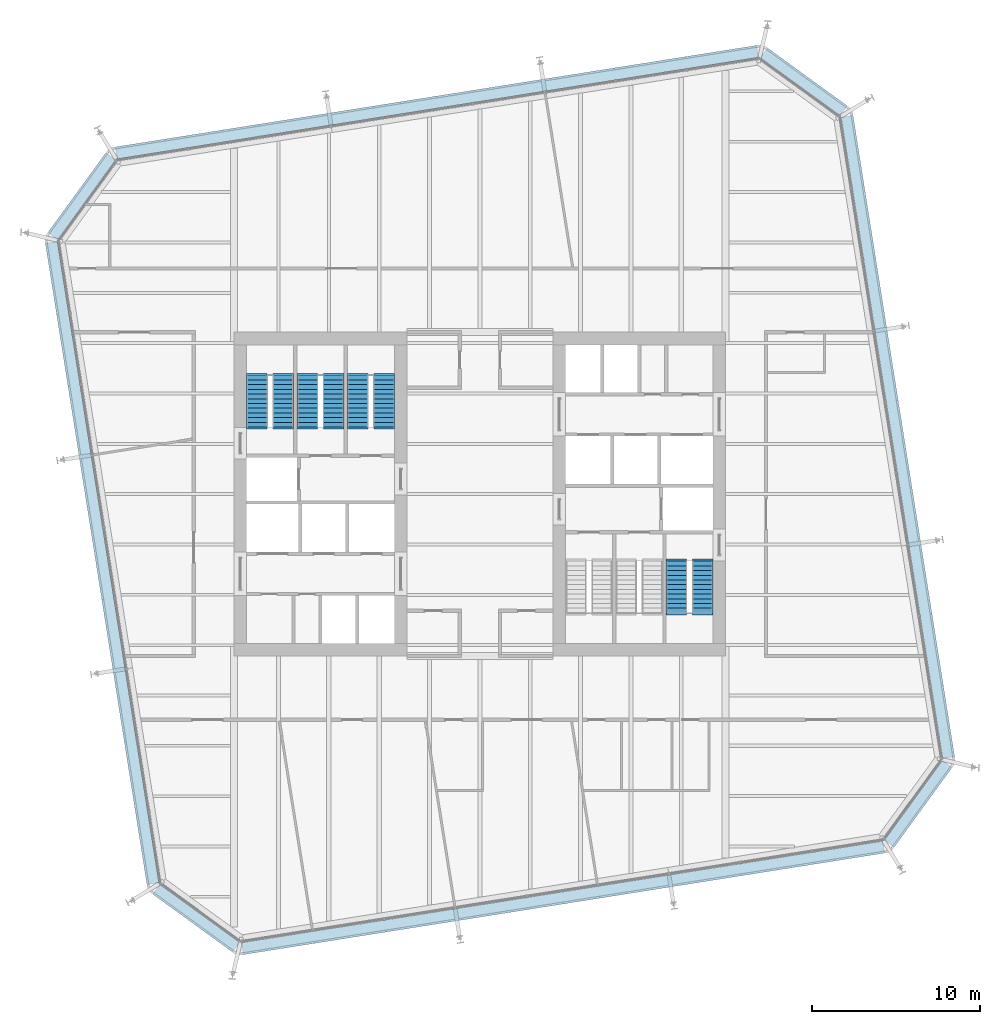
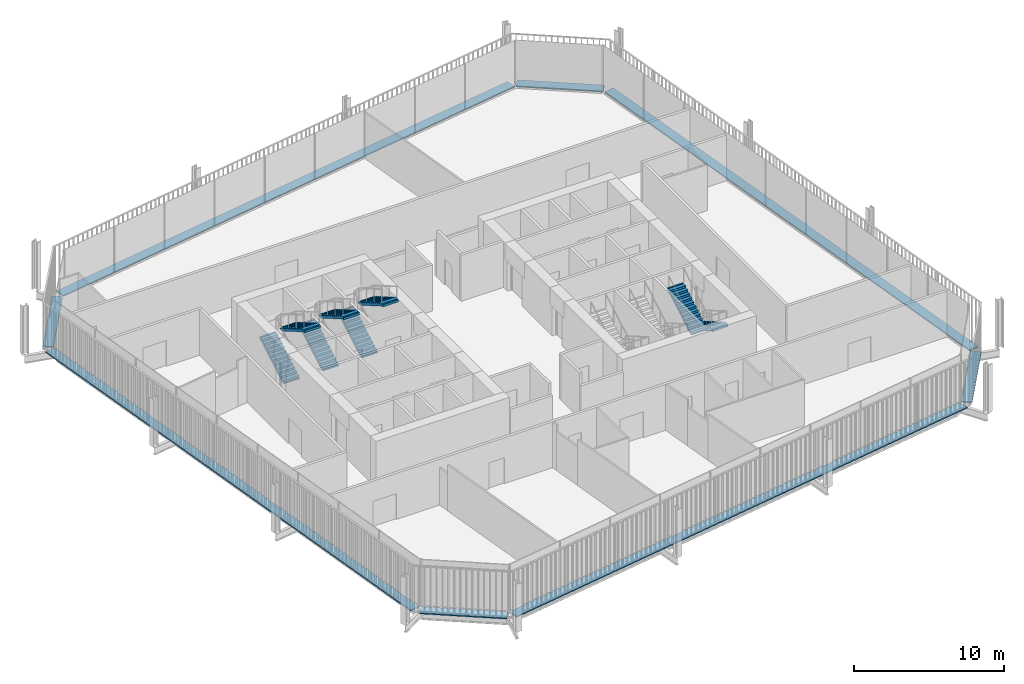
# One storey, part 20 of 21: 8 discrete accessories, 8 stair flights, 4 elements without a shape of their own.
"""IFC4 building model written with IfcOpenShell, lengths in metres."""

from ifc_helpers import new_model, si_unit, direction, frame, origin, origin_2d, place, context, subcontext, project, spatial, polyline, rectangle, outline, extrude, material, type_object, element, aggregate, save


model = new_model("IFC4")

# Units and contexts
model_context = context("Model", 3, precision=1e-05, world=origin(), true_north=direction((0.0, 1.0)))
body_context = subcontext(model_context, "Body", "Model", "MODEL_VIEW")
ifc_project = project(units=[si_unit("LENGTHUNIT", "METRE"), si_unit("AREAUNIT", "SQUARE_METRE"), si_unit("VOLUMEUNIT", "CUBIC_METRE"), si_unit("PLANEANGLEUNIT", "RADIAN"), si_unit("MASSUNIT", "GRAM", prefix="KILO")], contexts=[model_context])

# Site, building, storey
site_placement = place(None, origin())
site = spatial("IfcSite", under=ifc_project, at=site_placement, CompositionType="ELEMENT")
building_placement = place(site_placement, origin())
building = spatial("IfcBuilding", under=site, at=building_placement, Name="Millrace Tower", CompositionType="ELEMENT")
storey_placement = place(building_placement, frame((0.0, 0.0, 141.199951171875)))
storey = spatial("IfcBuildingStorey", under=building, at=storey_placement, Name="L31", CompositionType="ELEMENT", Elevation=141.199951171875)

# Stair, stair flights
ifc_material_1 = material(Name="Concrete C35", Category="concrete")
stair_type = type_object("IfcStairType", Name="Exit stair", PredefinedType="HALF_TURN_STAIR", material=ifc_material_1)
placement = place(storey_placement, origin())
stair_1 = element("IfcStair", 1, at=placement, inside=storey, type_object=stair_type, Name="Stair 1 W L31", PredefinedType="HALF_TURN_STAIR")
ifc_material_2 = material(Name="Concrete C35", Category="concrete")
stair_flight_type = type_object("IfcStairFlightType", Name="Exit stair flight", PredefinedType="STRAIGHT", material=ifc_material_2)
stair_flight_1_placement = place(storey_placement, frame((-13.2900390625, 4.0, 0.0), z_axis=(0.0, 0.0, 1.0), x_axis=(0.0, 1.0, 0.0)))
stair_flight_1 = element("IfcStairFlight", 2, at=stair_flight_1_placement, type_object=stair_flight_type, Name="ST12 flight 1", NumberOfRisers=12, NumberOfTreads=11, PredefinedType="STRAIGHT", RiserHeight=0.1625, TreadLength=0.28, context=body_context, shape_type="SweptSolid", body=[
    extrude(outline(polyline([(-0.1201171875, -0.0400390625), (-0.1201171875, 0.0), (0.0, 0.0), (0.0, 0.16259765625), (0.280029296875, 0.16259765625), (0.280029296875, 0.324951171875), (0.56005859375, 0.324951171875), (0.56005859375, 0.487548828125), (0.840087890625, 0.487548828125), (0.840087890625, 0.64990234375), (1.1201171875, 0.64990234375), (1.1201171875, 0.8125), (1.39990234375, 0.8125), (1.39990234375, 0.97509765625), (1.679931640625, 0.97509765625), (1.679931640625, 1.137451171875), (1.9599609375, 1.137451171875), (1.9599609375, 1.300048828125), (2.239990234375, 1.300048828125), (2.239990234375, 1.46240234375), (2.52001953125, 1.46240234375), (2.52001953125, 1.625), (2.800048828125, 1.625), (2.800048828125, 1.78759765625), (3.080078125, 1.78759765625), (3.080078125, 1.8076171875), (3.199951171875, 1.8076171875), (3.199951171875, 1.6142578125), (3.080078125, 1.6142578125), (0.298583984375, 0.0), (0.298583984375, -0.0400390625), (-0.1201171875, -0.0400390625)])), frame((0.0, 0.60986328125, 0.0), z_axis=(0.0, -1.0, 0.0), x_axis=(1.0, 0.0, 0.0)), (0.0, 0.0, 1.0), 1.219970703125),
])
stair_flight_2_placement = place(storey_placement, frame((-11.7099609375, 7.080078125, 1.949951171875), z_axis=(0.0, 0.0, 1.0), x_axis=(0.0, -1.0, 0.0)))
stair_flight_2 = element("IfcStairFlight", 3, at=stair_flight_2_placement, type_object=stair_flight_type, Name="ST12 flight 2", NumberOfRisers=12, NumberOfTreads=11, PredefinedType="STRAIGHT", RiserHeight=0.1625, TreadLength=0.28, context=body_context, shape_type="SweptSolid", body=[
    extrude(outline(polyline([(-0.1201171875, -0.0400390625), (-0.1201171875, 0.0), (0.0, 0.0), (0.0, 0.16259765625), (0.280029296875, 0.16259765625), (0.280029296875, 0.324951171875), (0.56005859375, 0.324951171875), (0.56005859375, 0.487548828125), (0.840087890625, 0.487548828125), (0.840087890625, 0.64990234375), (1.1201171875, 0.64990234375), (1.1201171875, 0.8125), (1.39990234375, 0.8125), (1.39990234375, 0.97509765625), (1.679931640625, 0.97509765625), (1.679931640625, 1.137451171875), (1.9599609375, 1.137451171875), (1.9599609375, 1.300048828125), (2.239990234375, 1.300048828125), (2.239990234375, 1.46240234375), (2.52001953125, 1.46240234375), (2.52001953125, 1.625), (2.800048828125, 1.625), (2.800048828125, 1.78759765625), (3.080078125, 1.78759765625), (3.080078125, 1.8076171875), (3.199951171875, 1.8076171875), (3.199951171875, 1.6142578125), (3.080078125, 1.6142578125), (0.298583984375, 0.0), (0.298583984375, -0.0400390625), (-0.1201171875, -0.0400390625)])), frame((0.0, 0.60986328125, 0.0), z_axis=(0.0, -1.0, 0.0), x_axis=(1.0, 0.0, 0.0)), (0.0, 0.0, 1.0), 1.219970703125),
])
aggregate(stair_1, [stair_flight_1, stair_flight_2])

stair_2 = element("IfcStair", 4, at=placement, inside=storey, type_object=stair_type, Name="Stair 2 W L31", PredefinedType="HALF_TURN_STAIR")
stair_flight_3_placement = place(storey_placement, frame((-10.2900390625, 4.0, 0.0), z_axis=(0.0, 0.0, 1.0), x_axis=(0.0, 1.0, 0.0)))
stair_flight_3 = element("IfcStairFlight", 5, at=stair_flight_3_placement, type_object=stair_flight_type, Name="ST12 flight 1", NumberOfRisers=12, NumberOfTreads=11, PredefinedType="STRAIGHT", RiserHeight=0.1625, TreadLength=0.28, context=body_context, shape_type="SweptSolid", body=[
    extrude(outline(polyline([(-0.1201171875, -0.0400390625), (-0.1201171875, 0.0), (0.0, 0.0), (0.0, 0.16259765625), (0.280029296875, 0.16259765625), (0.280029296875, 0.324951171875), (0.56005859375, 0.324951171875), (0.56005859375, 0.487548828125), (0.840087890625, 0.487548828125), (0.840087890625, 0.64990234375), (1.1201171875, 0.64990234375), (1.1201171875, 0.8125), (1.39990234375, 0.8125), (1.39990234375, 0.97509765625), (1.679931640625, 0.97509765625), (1.679931640625, 1.137451171875), (1.9599609375, 1.137451171875), (1.9599609375, 1.300048828125), (2.239990234375, 1.300048828125), (2.239990234375, 1.46240234375), (2.52001953125, 1.46240234375), (2.52001953125, 1.625), (2.800048828125, 1.625), (2.800048828125, 1.78759765625), (3.080078125, 1.78759765625), (3.080078125, 1.8076171875), (3.199951171875, 1.8076171875), (3.199951171875, 1.6142578125), (3.080078125, 1.6142578125), (0.298583984375, 0.0), (0.298583984375, -0.0400390625), (-0.1201171875, -0.0400390625)])), frame((0.0, 0.60986328125, 0.0), z_axis=(0.0, -1.0, 0.0), x_axis=(1.0, 0.0, 0.0)), (0.0, 0.0, 1.0), 1.219970703125),
])
stair_flight_4_placement = place(storey_placement, frame((-8.7099609375, 7.080078125, 1.949951171875), z_axis=(0.0, 0.0, 1.0), x_axis=(0.0, -1.0, 0.0)))
stair_flight_4 = element("IfcStairFlight", 6, at=stair_flight_4_placement, type_object=stair_flight_type, Name="ST12 flight 2", NumberOfRisers=12, NumberOfTreads=11, PredefinedType="STRAIGHT", RiserHeight=0.1625, TreadLength=0.28, context=body_context, shape_type="SweptSolid", body=[
    extrude(outline(polyline([(-0.1201171875, -0.0400390625), (-0.1201171875, 0.0), (0.0, 0.0), (0.0, 0.16259765625), (0.280029296875, 0.16259765625), (0.280029296875, 0.324951171875), (0.56005859375, 0.324951171875), (0.56005859375, 0.487548828125), (0.840087890625, 0.487548828125), (0.840087890625, 0.64990234375), (1.1201171875, 0.64990234375), (1.1201171875, 0.8125), (1.39990234375, 0.8125), (1.39990234375, 0.97509765625), (1.679931640625, 0.97509765625), (1.679931640625, 1.137451171875), (1.9599609375, 1.137451171875), (1.9599609375, 1.300048828125), (2.239990234375, 1.300048828125), (2.239990234375, 1.46240234375), (2.52001953125, 1.46240234375), (2.52001953125, 1.625), (2.800048828125, 1.625), (2.800048828125, 1.78759765625), (3.080078125, 1.78759765625), (3.080078125, 1.8076171875), (3.199951171875, 1.8076171875), (3.199951171875, 1.6142578125), (3.080078125, 1.6142578125), (0.298583984375, 0.0), (0.298583984375, -0.0400390625), (-0.1201171875, -0.0400390625)])), frame((0.0, 0.60986328125, 0.0), z_axis=(0.0, -1.0, 0.0), x_axis=(1.0, 0.0, 0.0)), (0.0, 0.0, 1.0), 1.219970703125),
])
aggregate(stair_2, [stair_flight_3, stair_flight_4])

stair_3 = element("IfcStair", 7, at=placement, inside=storey, type_object=stair_type, Name="Stair 3 W L31", PredefinedType="HALF_TURN_STAIR")
stair_flight_5_placement = place(storey_placement, frame((-7.2900390625, 4.0, 0.0), z_axis=(0.0, 0.0, 1.0), x_axis=(0.0, 1.0, 0.0)))
stair_flight_5 = element("IfcStairFlight", 8, at=stair_flight_5_placement, type_object=stair_flight_type, Name="ST12 flight 1", NumberOfRisers=12, NumberOfTreads=11, PredefinedType="STRAIGHT", RiserHeight=0.1625, TreadLength=0.28, context=body_context, shape_type="SweptSolid", body=[
    extrude(outline(polyline([(-0.1201171875, -0.0400390625), (-0.1201171875, 0.0), (0.0, 0.0), (0.0, 0.16259765625), (0.280029296875, 0.16259765625), (0.280029296875, 0.324951171875), (0.56005859375, 0.324951171875), (0.56005859375, 0.487548828125), (0.840087890625, 0.487548828125), (0.840087890625, 0.64990234375), (1.1201171875, 0.64990234375), (1.1201171875, 0.8125), (1.39990234375, 0.8125), (1.39990234375, 0.97509765625), (1.679931640625, 0.97509765625), (1.679931640625, 1.137451171875), (1.9599609375, 1.137451171875), (1.9599609375, 1.300048828125), (2.239990234375, 1.300048828125), (2.239990234375, 1.46240234375), (2.52001953125, 1.46240234375), (2.52001953125, 1.625), (2.800048828125, 1.625), (2.800048828125, 1.78759765625), (3.080078125, 1.78759765625), (3.080078125, 1.8076171875), (3.199951171875, 1.8076171875), (3.199951171875, 1.6142578125), (3.080078125, 1.6142578125), (0.298583984375, 0.0), (0.298583984375, -0.0400390625), (-0.1201171875, -0.0400390625)])), frame((0.0, 0.60986328125, 0.0), z_axis=(0.0, -1.0, 0.0), x_axis=(1.0, 0.0, 0.0)), (0.0, 0.0, 1.0), 1.219970703125),
])
stair_flight_6_placement = place(storey_placement, frame((-5.7099609375, 7.080078125, 1.949951171875), z_axis=(0.0, 0.0, 1.0), x_axis=(0.0, -1.0, 0.0)))
stair_flight_6 = element("IfcStairFlight", 9, at=stair_flight_6_placement, type_object=stair_flight_type, Name="ST12 flight 2", NumberOfRisers=12, NumberOfTreads=11, PredefinedType="STRAIGHT", RiserHeight=0.1625, TreadLength=0.28, context=body_context, shape_type="SweptSolid", body=[
    extrude(outline(polyline([(-0.1201171875, -0.0400390625), (-0.1201171875, 0.0), (0.0, 0.0), (0.0, 0.16259765625), (0.280029296875, 0.16259765625), (0.280029296875, 0.324951171875), (0.56005859375, 0.324951171875), (0.56005859375, 0.487548828125), (0.840087890625, 0.487548828125), (0.840087890625, 0.64990234375), (1.1201171875, 0.64990234375), (1.1201171875, 0.8125), (1.39990234375, 0.8125), (1.39990234375, 0.97509765625), (1.679931640625, 0.97509765625), (1.679931640625, 1.137451171875), (1.9599609375, 1.137451171875), (1.9599609375, 1.300048828125), (2.239990234375, 1.300048828125), (2.239990234375, 1.46240234375), (2.52001953125, 1.46240234375), (2.52001953125, 1.625), (2.800048828125, 1.625), (2.800048828125, 1.78759765625), (3.080078125, 1.78759765625), (3.080078125, 1.8076171875), (3.199951171875, 1.8076171875), (3.199951171875, 1.6142578125), (3.080078125, 1.6142578125), (0.298583984375, 0.0), (0.298583984375, -0.0400390625), (-0.1201171875, -0.0400390625)])), frame((0.0, 0.60986328125, 0.0), z_axis=(0.0, -1.0, 0.0), x_axis=(1.0, 0.0, 0.0)), (0.0, 0.0, 1.0), 1.219970703125),
])
aggregate(stair_3, [stair_flight_5, stair_flight_6])

stair_4 = element("IfcStair", 10, at=placement, inside=storey, type_object=stair_type, Name="Stair 1 E L31", PredefinedType="HALF_TURN_STAIR")
stair_flight_7_placement = place(storey_placement, frame((13.2900390625, -4.0, 0.0), z_axis=(0.0, 0.0, 1.0), x_axis=(0.0, -1.0, 0.0)))
stair_flight_7 = element("IfcStairFlight", 11, at=stair_flight_7_placement, type_object=stair_flight_type, Name="ST12 flight 1", NumberOfRisers=12, NumberOfTreads=11, PredefinedType="STRAIGHT", RiserHeight=0.1625, TreadLength=0.28, context=body_context, shape_type="SweptSolid", body=[
    extrude(outline(polyline([(-0.1201171875, -0.0400390625), (-0.1201171875, 0.0), (0.0, 0.0), (0.0, 0.16259765625), (0.280029296875, 0.16259765625), (0.280029296875, 0.324951171875), (0.56005859375, 0.324951171875), (0.56005859375, 0.487548828125), (0.840087890625, 0.487548828125), (0.840087890625, 0.64990234375), (1.1201171875, 0.64990234375), (1.1201171875, 0.8125), (1.39990234375, 0.8125), (1.39990234375, 0.97509765625), (1.679931640625, 0.97509765625), (1.679931640625, 1.137451171875), (1.9599609375, 1.137451171875), (1.9599609375, 1.300048828125), (2.239990234375, 1.300048828125), (2.239990234375, 1.46240234375), (2.52001953125, 1.46240234375), (2.52001953125, 1.625), (2.800048828125, 1.625), (2.800048828125, 1.78759765625), (3.080078125, 1.78759765625), (3.080078125, 1.8076171875), (3.199951171875, 1.8076171875), (3.199951171875, 1.6142578125), (3.080078125, 1.6142578125), (0.298583984375, 0.0), (0.298583984375, -0.0400390625), (-0.1201171875, -0.0400390625)])), frame((0.0, 0.60986328125, 0.0), z_axis=(0.0, -1.0, 0.0), x_axis=(1.0, 0.0, 0.0)), (0.0, 0.0, 1.0), 1.219970703125),
])
stair_flight_8_placement = place(storey_placement, frame((11.7099609375, -7.080078125, 1.949951171875), z_axis=(0.0, 0.0, 1.0), x_axis=(0.0, 1.0, 0.0)))
stair_flight_8 = element("IfcStairFlight", 12, at=stair_flight_8_placement, type_object=stair_flight_type, Name="ST12 flight 2", NumberOfRisers=12, NumberOfTreads=11, PredefinedType="STRAIGHT", RiserHeight=0.1625, TreadLength=0.28, context=body_context, shape_type="SweptSolid", body=[
    extrude(outline(polyline([(-0.1201171875, -0.0400390625), (-0.1201171875, 0.0), (0.0, 0.0), (0.0, 0.16259765625), (0.280029296875, 0.16259765625), (0.280029296875, 0.324951171875), (0.56005859375, 0.324951171875), (0.56005859375, 0.487548828125), (0.840087890625, 0.487548828125), (0.840087890625, 0.64990234375), (1.1201171875, 0.64990234375), (1.1201171875, 0.8125), (1.39990234375, 0.8125), (1.39990234375, 0.97509765625), (1.679931640625, 0.97509765625), (1.679931640625, 1.137451171875), (1.9599609375, 1.137451171875), (1.9599609375, 1.300048828125), (2.239990234375, 1.300048828125), (2.239990234375, 1.46240234375), (2.52001953125, 1.46240234375), (2.52001953125, 1.625), (2.800048828125, 1.625), (2.800048828125, 1.78759765625), (3.080078125, 1.78759765625), (3.080078125, 1.8076171875), (3.199951171875, 1.8076171875), (3.199951171875, 1.6142578125), (3.080078125, 1.6142578125), (0.298583984375, 0.0), (0.298583984375, -0.0400390625), (-0.1201171875, -0.0400390625)])), frame((0.0, 0.60986328125, 0.0), z_axis=(0.0, -1.0, 0.0), x_axis=(1.0, 0.0, 0.0)), (0.0, 0.0, 1.0), 1.219970703125),
])
aggregate(stair_4, [stair_flight_7, stair_flight_8])

# Discrete accessories
ifc_material_3 = material(Name="Stainless steel ASTM A240 type 316", Category="steel")
discrete_accessory_type = type_object("IfcDiscreteAccessoryType", Name="Thermally broken screen support rail", PredefinedType="BRACKET", material=ifc_material_3)
discrete_accessory_1_placement = place(storey_placement, frame((-16.909423828125, -25.275390625, 0.0), z_axis=(0.0, 0.0, 1.0), x_axis=(0.809016981623, -0.587785269844, 0.0)))
element("IfcDiscreteAccessory", 13, at=discrete_accessory_1_placement, inside=storey, type_object=discrete_accessory_type, Name="Thermally broken screen support rail C-F01 L31 1", PredefinedType="BRACKET", context=body_context, shape_type="SweptSolid", body=[
    extrude(rectangle(XDim=5.868896484375, YDim=0.719970703125, at=origin_2d()), origin(), (0.0, 0.0, 1.0), 0.10009765625),
])
discrete_accessory_2_placement = place(storey_placement, frame((4.9560546875, -24.064453125, 0.0), z_axis=(0.0, 0.0, 1.0), x_axis=(0.98768833929, 0.15643447328, 0.0)))
element("IfcDiscreteAccessory", 14, at=discrete_accessory_2_placement, inside=storey, type_object=discrete_accessory_type, Name="Thermally broken screen support rail C-F02 L31 1", PredefinedType="BRACKET", context=body_context, shape_type="SweptSolid", body=[
    extrude(rectangle(XDim=38.699951171875, YDim=0.719970703125, at=origin_2d()), origin(), (0.0, 0.0, 1.0), 0.10009765625),
])
discrete_accessory_3_placement = place(storey_placement, frame((26.12548828125, -18.45947265625, 0.0), z_axis=(0.0, 0.0, 1.0), x_axis=(0.587785269844, 0.809016981623, 0.0)))
element("IfcDiscreteAccessory", 15, at=discrete_accessory_3_placement, inside=storey, type_object=discrete_accessory_type, Name="Thermally broken screen support rail C-F03 L31 1", PredefinedType="BRACKET", context=body_context, shape_type="SweptSolid", body=[
    extrude(rectangle(XDim=5.868896484375, YDim=0.719970703125, at=origin_2d()), origin(), (0.0, 0.0, 1.0), 0.10009765625),
])
discrete_accessory_4_placement = place(storey_placement, frame((24.914306640625, 3.406005859375, 0.0), z_axis=(0.0, 0.0, 1.0), x_axis=(-0.15643447328, 0.98768833929, 0.0)))
element("IfcDiscreteAccessory", 16, at=discrete_accessory_4_placement, inside=storey, type_object=discrete_accessory_type, Name="Thermally broken screen support rail C-F04 L31 1", PredefinedType="BRACKET", context=body_context, shape_type="SweptSolid", body=[
    extrude(rectangle(XDim=38.699951171875, YDim=0.719970703125, at=origin_2d()), origin(), (0.0, 0.0, 1.0), 0.10009765625),
])
discrete_accessory_5_placement = place(storey_placement, frame((19.309326171875, 24.575439453125, 0.0), z_axis=(0.0, 0.0, 1.0), x_axis=(-0.809016981623, 0.587785269844, 0.0)))
element("IfcDiscreteAccessory", 17, at=discrete_accessory_5_placement, inside=storey, type_object=discrete_accessory_type, Name="Thermally broken screen support rail C-F05 L31 1", PredefinedType="BRACKET", context=body_context, shape_type="SweptSolid", body=[
    extrude(rectangle(XDim=5.868896484375, YDim=0.719970703125, at=origin_2d()), origin(), (0.0, 0.0, 1.0), 0.10009765625),
])
discrete_accessory_6_placement = place(storey_placement, frame((-2.555908203125, 23.364501953125, 0.0), z_axis=(0.0, 0.0, 1.0), x_axis=(-0.98768833929, -0.15643447328, 0.0)))
element("IfcDiscreteAccessory", 18, at=discrete_accessory_6_placement, inside=storey, type_object=discrete_accessory_type, Name="Thermally broken screen support rail C-F06 L31 1", PredefinedType="BRACKET", context=body_context, shape_type="SweptSolid", body=[
    extrude(rectangle(XDim=38.699951171875, YDim=0.719970703125, at=origin_2d()), origin(), (0.0, 0.0, 1.0), 0.10009765625),
])
discrete_accessory_7_placement = place(storey_placement, frame((-23.725341796875, 17.75927734375, 0.0), z_axis=(0.0, 0.0, 1.0), x_axis=(-0.587785269844, -0.809016981623, 0.0)))
element("IfcDiscreteAccessory", 19, at=discrete_accessory_7_placement, inside=storey, type_object=discrete_accessory_type, Name="Thermally broken screen support rail C-F07 L31 1", PredefinedType="BRACKET", context=body_context, shape_type="SweptSolid", body=[
    extrude(rectangle(XDim=5.868896484375, YDim=0.719970703125, at=origin_2d()), origin(), (0.0, 0.0, 1.0), 0.10009765625),
])
discrete_accessory_8_placement = place(storey_placement, frame((-22.514404296875, -4.10595703125, 0.0), z_axis=(0.0, 0.0, 1.0), x_axis=(0.15643447328, -0.98768833929, 0.0)))
element("IfcDiscreteAccessory", 20, at=discrete_accessory_8_placement, inside=storey, type_object=discrete_accessory_type, Name="Thermally broken screen support rail C-F08 L31 1", PredefinedType="BRACKET", context=body_context, shape_type="SweptSolid", body=[
    extrude(rectangle(XDim=38.699951171875, YDim=0.719970703125, at=origin_2d()), origin(), (0.0, 0.0, 1.0), 0.10009765625),
])

save(model, "model.ifc")
